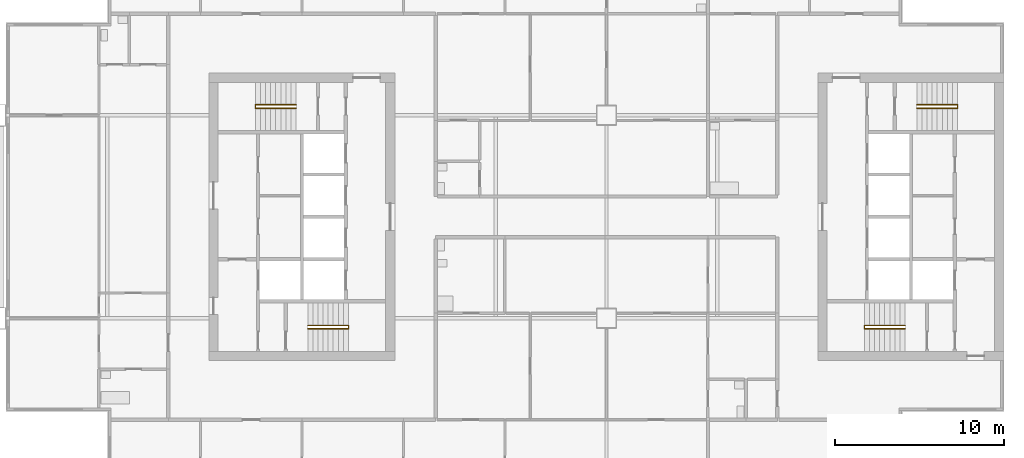
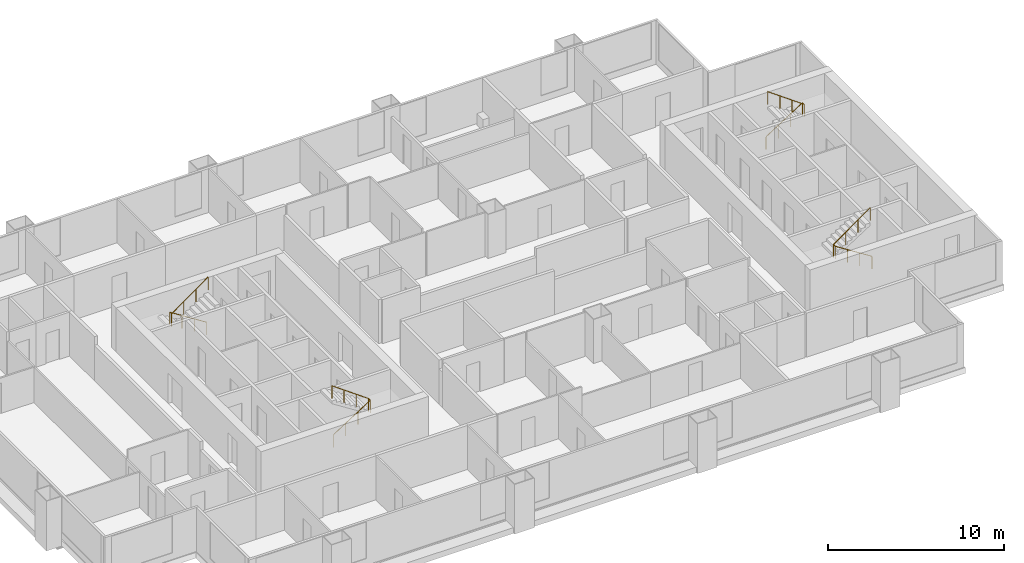
# One storey, part 8 of 9: 4 railings.
"""IFC4 building model written with IfcOpenShell, lengths in metres."""

from ifc_helpers import new_model, si_unit, direction, frame, origin, origin_2d, place, context, subcontext, project, spatial, circle, extrude, material, type_object, element, save


model = new_model("IFC4")

# Units and contexts
model_context = context("Model", 3, precision=1e-05, world=origin(), true_north=direction((0.0, 1.0)))
body_context = subcontext(model_context, "Body", "Model", "MODEL_VIEW")
ifc_project = project(units=[si_unit("LENGTHUNIT", "METRE"), si_unit("AREAUNIT", "SQUARE_METRE"), si_unit("VOLUMEUNIT", "CUBIC_METRE"), si_unit("PLANEANGLEUNIT", "RADIAN"), si_unit("MASSUNIT", "GRAM", prefix="KILO")], contexts=[model_context])

# Site, building, storey
site_placement = place(None, origin())
site = spatial("IfcSite", under=ifc_project, at=site_placement, CompositionType="ELEMENT")
building_placement = place(site_placement, origin())
building = spatial("IfcBuilding", under=site, at=building_placement, Name="Kitamizu Gate Tower and Museum", CompositionType="ELEMENT")
storey_placement = place(building_placement, frame((0.0, 0.0, 178.949951171875)))
storey = spatial("IfcBuildingStorey", under=building, at=storey_placement, Name="L47", CompositionType="ELEMENT", Elevation=178.949951171875)

# Railings
ifc_material = material(Name="Stainless steel SUS304", Category="steel")
railing_type = type_object("IfcRailingType", Name="Stair handrail 900", PredefinedType="HANDRAIL", material=ifc_material)
railing_1_placement = place(storey_placement, frame((18.35009765625, 23.375, 0.191650390625)))
element("IfcRailing", 1, at=railing_1_placement, inside=storey, type_object=railing_type, Name="Stair handrail ST1", PredefinedType="HANDRAIL", context=body_context, shape_type="SweptSolid", body=[
    extrude(circle(Radius=0.02392578125, at=origin_2d()), frame((0.0, 0.0, 0.8759765625), z_axis=(0.842668169335, 0.0, 0.538433242278), x_axis=(0.0, 1.0, 0.0)), (0.0, 0.0, 1.0), 2.847900390625),
    extrude(circle(Radius=0.02392578125, at=origin_2d()), frame((2.39990234375, 0.0, 2.4091796875), z_axis=(0.0, 1.0, 0.0), x_axis=(-1.0, 0.0, 0.0)), (0.0, 0.0, 1.0), 0.199951171875),
    extrude(circle(Radius=0.02392578125, at=origin_2d()), frame((2.39990234375, 0.199951171875, 2.4091796875), z_axis=(-0.81202760531, 0.0, 0.583619026604), x_axis=(0.0, -1.0, 0.0)), (0.0, 0.0, 1.0), 2.955322265625),
    extrude(circle(Radius=0.02099609375, at=origin_2d()), origin(), (0.0, 0.0, 1.0), 0.851806640625),
    extrude(circle(Radius=0.02099609375, at=origin_2d()), frame((0.800048828125, 0.0, 0.51123046875)), (0.0, 0.0, 1.0), 0.851806640625),
    extrude(circle(Radius=0.02099609375, at=origin_2d()), frame((1.599853515625, 0.0, 1.022216796875)), (0.0, 0.0, 1.0), 0.851806640625),
    extrude(circle(Radius=0.02099609375, at=origin_2d()), frame((2.39990234375, 0.0, 1.533447265625)), (0.0, 0.0, 1.0), 0.851806640625),
    extrude(circle(Radius=0.02099609375, at=origin_2d()), frame((2.39990234375, 0.199951171875, 1.533447265625)), (0.0, 0.0, 1.0), 0.851806640625),
    extrude(circle(Radius=0.02099609375, at=origin_2d()), frame((1.599853515625, 0.199951171875, 2.1083984375)), (0.0, 0.0, 1.0), 0.851806640625),
    extrude(circle(Radius=0.02099609375, at=origin_2d()), frame((0.800048828125, 0.199951171875, 2.683349609375)), (0.0, 0.0, 1.0), 0.851806640625),
    extrude(circle(Radius=0.02099609375, at=origin_2d()), frame((0.0, 0.199951171875, 3.25830078125)), (0.0, 0.0, 1.0), 0.851806640625),
])
railing_2_placement = place(storey_placement, frame((17.64990234375, 36.625, 0.191650390625)))
element("IfcRailing", 2, at=railing_2_placement, inside=storey, type_object=railing_type, Name="Stair handrail ST2", PredefinedType="HANDRAIL", context=body_context, shape_type="SweptSolid", body=[
    extrude(circle(Radius=0.02392578125, at=origin_2d()), frame((0.0, 0.0, 0.8759765625), z_axis=(-0.842668169335, 0.0, 0.538433242278), x_axis=(0.0, -1.0, 0.0)), (0.0, 0.0, 1.0), 2.847900390625),
    extrude(circle(Radius=0.02392578125, at=origin_2d()), frame((-2.39990234375, 0.0, 2.4091796875), z_axis=(0.0, -1.0, 0.0), x_axis=(1.0, 0.0, 0.0)), (0.0, 0.0, 1.0), 0.199951171875),
    extrude(circle(Radius=0.02392578125, at=origin_2d()), frame((-2.39990234375, -0.199951171875, 2.4091796875), z_axis=(0.81202760531, 0.0, 0.583619026604), x_axis=(0.0, 1.0, 0.0)), (0.0, 0.0, 1.0), 2.955322265625),
    extrude(circle(Radius=0.02099609375, at=origin_2d()), origin(), (0.0, 0.0, 1.0), 0.851806640625),
    extrude(circle(Radius=0.02099609375, at=origin_2d()), frame((-0.800048828125, 0.0, 0.51123046875)), (0.0, 0.0, 1.0), 0.851806640625),
    extrude(circle(Radius=0.02099609375, at=origin_2d()), frame((-1.599853515625, 0.0, 1.022216796875)), (0.0, 0.0, 1.0), 0.851806640625),
    extrude(circle(Radius=0.02099609375, at=origin_2d()), frame((-2.39990234375, 0.0, 1.533447265625)), (0.0, 0.0, 1.0), 0.851806640625),
    extrude(circle(Radius=0.02099609375, at=origin_2d()), frame((-2.39990234375, -0.199951171875, 1.533447265625)), (0.0, 0.0, 1.0), 0.851806640625),
    extrude(circle(Radius=0.02099609375, at=origin_2d()), frame((-1.599853515625, -0.199951171875, 2.1083984375)), (0.0, 0.0, 1.0), 0.851806640625),
    extrude(circle(Radius=0.02099609375, at=origin_2d()), frame((-0.800048828125, -0.199951171875, 2.683349609375)), (0.0, 0.0, 1.0), 0.851806640625),
    extrude(circle(Radius=0.02099609375, at=origin_2d()), frame((0.0, -0.199951171875, 3.25830078125)), (0.0, 0.0, 1.0), 0.851806640625),
])
railing_3_placement = place(storey_placement, frame((53.64990234375, 23.375, 0.191650390625)))
element("IfcRailing", 3, at=railing_3_placement, inside=storey, type_object=railing_type, Name="Stair handrail ST3", PredefinedType="HANDRAIL", context=body_context, shape_type="SweptSolid", body=[
    extrude(circle(Radius=0.02392578125, at=origin_2d()), frame((0.0, 0.0, 0.8759765625), z_axis=(-0.842668169335, 0.0, 0.538433242278), x_axis=(0.0, -1.0, 0.0)), (0.0, 0.0, 1.0), 2.847900390625),
    extrude(circle(Radius=0.02392578125, at=origin_2d()), frame((-2.39990234375, 0.0, 2.4091796875), z_axis=(0.0, 1.0, 0.0), x_axis=(-1.0, 0.0, 0.0)), (0.0, 0.0, 1.0), 0.199951171875),
    extrude(circle(Radius=0.02392578125, at=origin_2d()), frame((-2.39990234375, 0.199951171875, 2.4091796875), z_axis=(0.81202760531, 0.0, 0.583619026604), x_axis=(0.0, 1.0, 0.0)), (0.0, 0.0, 1.0), 2.955322265625),
    extrude(circle(Radius=0.02099609375, at=origin_2d()), origin(), (0.0, 0.0, 1.0), 0.851806640625),
    extrude(circle(Radius=0.02099609375, at=origin_2d()), frame((-0.800048828125, 0.0, 0.51123046875)), (0.0, 0.0, 1.0), 0.851806640625),
    extrude(circle(Radius=0.02099609375, at=origin_2d()), frame((-1.599853515625, 0.0, 1.022216796875)), (0.0, 0.0, 1.0), 0.851806640625),
    extrude(circle(Radius=0.02099609375, at=origin_2d()), frame((-2.39990234375, 0.0, 1.533447265625)), (0.0, 0.0, 1.0), 0.851806640625),
    extrude(circle(Radius=0.02099609375, at=origin_2d()), frame((-2.39990234375, 0.199951171875, 1.533447265625)), (0.0, 0.0, 1.0), 0.851806640625),
    extrude(circle(Radius=0.02099609375, at=origin_2d()), frame((-1.599853515625, 0.199951171875, 2.1083984375)), (0.0, 0.0, 1.0), 0.851806640625),
    extrude(circle(Radius=0.02099609375, at=origin_2d()), frame((-0.800048828125, 0.199951171875, 2.683349609375)), (0.0, 0.0, 1.0), 0.851806640625),
    extrude(circle(Radius=0.02099609375, at=origin_2d()), frame((0.0, 0.199951171875, 3.25830078125)), (0.0, 0.0, 1.0), 0.851806640625),
])
railing_4_placement = place(storey_placement, frame((54.35009765625, 36.625, 0.191650390625)))
element("IfcRailing", 4, at=railing_4_placement, inside=storey, type_object=railing_type, Name="Stair handrail ST4", PredefinedType="HANDRAIL", context=body_context, shape_type="SweptSolid", body=[
    extrude(circle(Radius=0.02392578125, at=origin_2d()), frame((0.0, 0.0, 0.8759765625), z_axis=(0.842668169335, 0.0, 0.538433242278), x_axis=(0.0, 1.0, 0.0)), (0.0, 0.0, 1.0), 2.847900390625),
    extrude(circle(Radius=0.02392578125, at=origin_2d()), frame((2.39990234375, 0.0, 2.4091796875), z_axis=(0.0, -1.0, 0.0), x_axis=(1.0, 0.0, 0.0)), (0.0, 0.0, 1.0), 0.199951171875),
    extrude(circle(Radius=0.02392578125, at=origin_2d()), frame((2.39990234375, -0.199951171875, 2.4091796875), z_axis=(-0.81202760531, 0.0, 0.583619026604), x_axis=(0.0, -1.0, 0.0)), (0.0, 0.0, 1.0), 2.955322265625),
    extrude(circle(Radius=0.02099609375, at=origin_2d()), origin(), (0.0, 0.0, 1.0), 0.851806640625),
    extrude(circle(Radius=0.02099609375, at=origin_2d()), frame((0.800048828125, 0.0, 0.51123046875)), (0.0, 0.0, 1.0), 0.851806640625),
    extrude(circle(Radius=0.02099609375, at=origin_2d()), frame((1.599853515625, 0.0, 1.022216796875)), (0.0, 0.0, 1.0), 0.851806640625),
    extrude(circle(Radius=0.02099609375, at=origin_2d()), frame((2.39990234375, 0.0, 1.533447265625)), (0.0, 0.0, 1.0), 0.851806640625),
    extrude(circle(Radius=0.02099609375, at=origin_2d()), frame((2.39990234375, -0.199951171875, 1.533447265625)), (0.0, 0.0, 1.0), 0.851806640625),
    extrude(circle(Radius=0.02099609375, at=origin_2d()), frame((1.599853515625, -0.199951171875, 2.1083984375)), (0.0, 0.0, 1.0), 0.851806640625),
    extrude(circle(Radius=0.02099609375, at=origin_2d()), frame((0.800048828125, -0.199951171875, 2.683349609375)), (0.0, 0.0, 1.0), 0.851806640625),
    extrude(circle(Radius=0.02099609375, at=origin_2d()), frame((0.0, -0.199951171875, 3.25830078125)), (0.0, 0.0, 1.0), 0.851806640625),
])

save(model, "model.ifc")
